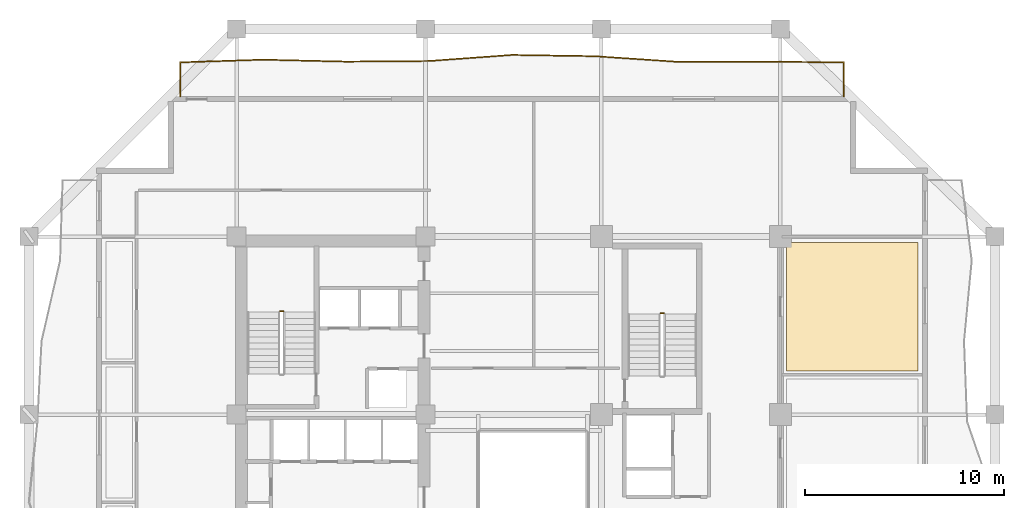
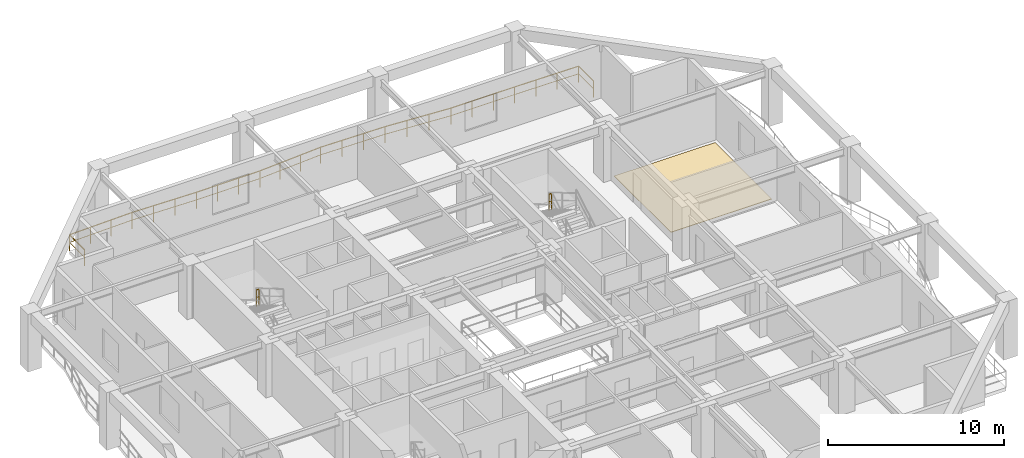
# One storey, part 10 of 11: 3 railings, 1 covering.
"""IFC4 building model written with IfcOpenShell, lengths in metres."""

from ifc_helpers import new_model, si_unit, direction, frame, origin, origin_2d, place, context, subcontext, project, spatial, polyline, rectangle, outline, extrude, material, layer, layer_set, type_object, element, save


model = new_model("IFC4")

# Units and contexts
model_context = context("Model", 3, precision=1e-05, world=origin(), true_north=direction((0.0, 1.0)))
body_context = subcontext(model_context, "Body", "Model", "MODEL_VIEW")
ifc_project = project(units=[si_unit("LENGTHUNIT", "METRE"), si_unit("AREAUNIT", "SQUARE_METRE"), si_unit("VOLUMEUNIT", "CUBIC_METRE"), si_unit("PLANEANGLEUNIT", "RADIAN"), si_unit("MASSUNIT", "GRAM", prefix="KILO")], contexts=[model_context])

# Site, building, storey
site_placement = place(None, origin())
site = spatial("IfcSite", under=ifc_project, at=site_placement, CompositionType="ELEMENT")
building_placement = place(site_placement, origin())
building = spatial("IfcBuilding", under=site, at=building_placement, Name="Kundavana Baori Tower", CompositionType="ELEMENT")
storey_placement = place(building_placement, frame((0.0, 0.0, 90.0)))
storey = spatial("IfcBuildingStorey", under=building, at=storey_placement, Name="L21", CompositionType="ELEMENT", Elevation=90.0)

# Covering
ifc_material_1 = material(Name="Honed Kota Stone and Terrazzo Flooring", Category="masonry")
ifc_layer = layer(ifc_material_1, 0.030029296875, Name="COV-INT-FLR")
ifc_layer_set = layer_set([ifc_layer], Name="Honed Kota Stone and Terrazzo Flooring")
covering_type = type_object("IfcCoveringType", Name="COV-INT-FLR", PredefinedType="FLOORING", material=ifc_layer_set)
covering_placement = place(storey_placement, origin())
element("IfcCovering", 1, at=covering_placement, inside=storey, type_object=covering_type, Name="L21 Room Finished Stone Flooring 11", PredefinedType="FLOORING", context=body_context, shape_type="SweptSolid", body=[
    extrude(outline(polyline([(43.10009765625, 35.199951171875), (49.719970703125, 35.199951171875), (49.719970703125, 41.64990234375), (43.10009765625, 41.64990234375), (43.10009765625, 35.199951171875)])), origin(), (0.0, 0.0, 1.0), 0.030029296875),
])

# Railings
ifc_material_2 = material(Name="Architectural Patinated Bronze Metalwork")
railing_type_1 = type_object("IfcRailingType", Name="RL-BAL-1150", PredefinedType="BALUSTRADE", material=ifc_material_2)
railing_1_placement = place(storey_placement, frame((12.60009765625, 49.0, 0.0)))
element("IfcRailing", 2, at=railing_1_placement, inside=storey, type_object=railing_type_1, Name="L21 Loggia Balcony Balustrade N", PredefinedType="BALUSTRADE", context=body_context, shape_type="SweptSolid", body=[
    extrude(rectangle(XDim=0.048095703125, YDim=0.048095703125, at=origin_2d()), frame((0.0, 0.0, 1.1259765625), z_axis=(0.0, 1.0, 0.0), x_axis=(-1.0, 0.0, 0.0)), (0.0, 0.0, 1.0), 1.719970703125),
    extrude(rectangle(XDim=0.03125, YDim=0.03125, at=origin_2d()), frame((0.0, 0.0, 0.597900390625), z_axis=(0.0, 1.0, 0.0), x_axis=(-1.0, 0.0, 0.0)), (0.0, 0.0, 1.0), 1.719970703125),
    extrude(rectangle(XDim=0.048095703125, YDim=0.048095703125, at=origin_2d()), frame((0.0, 1.719970703125, 1.1259765625), z_axis=(0.999469918375, 0.032555833014, 0.0), x_axis=(-0.032555833014, 0.999469918375, 0.0)), (0.0, 0.0, 1.0), 4.177001953125),
    extrude(rectangle(XDim=0.03125, YDim=0.03125, at=origin_2d()), frame((0.0, 1.719970703125, 0.597900390625), z_axis=(0.999469918375, 0.032555833014, 0.0), x_axis=(-0.032555833014, 0.999469918375, 0.0)), (0.0, 0.0, 1.0), 4.177001953125),
    extrude(rectangle(XDim=0.048095703125, YDim=0.048095703125, at=origin_2d()), frame((4.1748046875, 1.85595703125, 1.1259765625), z_axis=(0.999725187374, -0.023442477056, 0.0), x_axis=(0.023442477056, 0.999725187374, 0.0)), (0.0, 0.0, 1.0), 4.17626953125),
    extrude(rectangle(XDim=0.03125, YDim=0.03125, at=origin_2d()), frame((4.1748046875, 1.85595703125, 0.597900390625), z_axis=(0.999725187374, -0.023442477056, 0.0), x_axis=(0.023442477056, 0.999725187374, 0.0)), (0.0, 0.0, 1.0), 4.17626953125),
    extrude(rectangle(XDim=0.048095703125, YDim=0.048095703125, at=origin_2d()), frame((8.349853515625, 1.758056640625, 1.1259765625), z_axis=(0.99997242494, 0.007426261503, 0.0), x_axis=(-0.007426261503, 0.99997242494, 0.0)), (0.0, 0.0, 1.0), 4.175048828125),
    extrude(rectangle(XDim=0.03125, YDim=0.03125, at=origin_2d()), frame((8.349853515625, 1.758056640625, 0.597900390625), z_axis=(0.99997242494, 0.007426261503, 0.0), x_axis=(-0.007426261503, 0.99997242494, 0.0)), (0.0, 0.0, 1.0), 4.175048828125),
    extrude(rectangle(XDim=0.048095703125, YDim=0.048095703125, at=origin_2d()), frame((12.52490234375, 1.7890625, 1.1259765625), z_axis=(0.997326471838, 0.073074678043, 0.0), x_axis=(-0.073074678043, 0.997326471838, 0.0)), (0.0, 0.0, 1.0), 4.186279296875),
    extrude(rectangle(XDim=0.03125, YDim=0.03125, at=origin_2d()), frame((12.52490234375, 1.7890625, 0.597900390625), z_axis=(0.997326471838, 0.073074678043, 0.0), x_axis=(-0.073074678043, 0.997326471838, 0.0)), (0.0, 0.0, 1.0), 4.186279296875),
    extrude(rectangle(XDim=0.048095703125, YDim=0.048095703125, at=origin_2d()), frame((16.699951171875, 2.094970703125, 1.1259765625), z_axis=(0.999879048442, -0.015552764568, 0.0), x_axis=(0.015552764568, 0.999879048442, 0.0)), (0.0, 0.0, 1.0), 4.175537109375),
    extrude(rectangle(XDim=0.03125, YDim=0.03125, at=origin_2d()), frame((16.699951171875, 2.094970703125, 0.597900390625), z_axis=(0.999879048442, -0.015552764568, 0.0), x_axis=(0.015552764568, 0.999879048442, 0.0)), (0.0, 0.0, 1.0), 4.175537109375),
    extrude(rectangle(XDim=0.048095703125, YDim=0.048095703125, at=origin_2d()), frame((20.875, 2.030029296875, 1.1259765625), z_axis=(0.997710969964, -0.067622632409, 0.0), x_axis=(0.067622632409, 0.997710969964, 0.0)), (0.0, 0.0, 1.0), 4.184326171875),
    extrude(rectangle(XDim=0.03125, YDim=0.03125, at=origin_2d()), frame((20.875, 2.030029296875, 0.597900390625), z_axis=(0.997710969964, -0.067622632409, 0.0), x_axis=(0.067622632409, 0.997710969964, 0.0)), (0.0, 0.0, 1.0), 4.184326171875),
    extrude(rectangle(XDim=0.048095703125, YDim=0.048095703125, at=origin_2d()), frame((25.0498046875, 1.7470703125, 1.1259765625), z_axis=(0.999997659391, 0.002163611099, 0.0), x_axis=(-0.002163611099, 0.999997659391, 0.0)), (0.0, 0.0, 1.0), 4.175048828125),
    extrude(rectangle(XDim=0.03125, YDim=0.03125, at=origin_2d()), frame((25.0498046875, 1.7470703125, 0.597900390625), z_axis=(0.999997659391, 0.002163611099, 0.0), x_axis=(-0.002163611099, 0.999997659391, 0.0)), (0.0, 0.0, 1.0), 4.175048828125),
    extrude(rectangle(XDim=0.048095703125, YDim=0.048095703125, at=origin_2d()), frame((29.224853515625, 1.756103515625, 1.1259765625), z_axis=(0.999962552224, -0.008654140561, 0.0), x_axis=(0.008654140561, 0.999962552224, 0.0)), (0.0, 0.0, 1.0), 4.17529296875),
    extrude(rectangle(XDim=0.03125, YDim=0.03125, at=origin_2d()), frame((29.224853515625, 1.756103515625, 0.597900390625), z_axis=(0.999962552224, -0.008654140561, 0.0), x_axis=(0.008654140561, 0.999962552224, 0.0)), (0.0, 0.0, 1.0), 4.17529296875),
    extrude(rectangle(XDim=0.048095703125, YDim=0.048095703125, at=origin_2d()), frame((33.39990234375, 1.719970703125, 1.1259765625), z_axis=(0.0, -1.0, 0.0), x_axis=(1.0, 0.0, 0.0)), (0.0, 0.0, 1.0), 1.719970703125),
    extrude(rectangle(XDim=0.03125, YDim=0.03125, at=origin_2d()), frame((33.39990234375, 1.719970703125, 0.597900390625), z_axis=(0.0, -1.0, 0.0), x_axis=(1.0, 0.0, 0.0)), (0.0, 0.0, 1.0), 1.719970703125),
    extrude(rectangle(XDim=0.0419921875, YDim=0.0419921875, at=origin_2d()), origin(), (0.0, 0.0, 1.0), 1.101806640625),
    extrude(rectangle(XDim=0.0419921875, YDim=0.0419921875, at=origin_2d()), frame((0.0, 1.719970703125, 0.0)), (0.0, 0.0, 1.0), 1.101806640625),
    extrude(rectangle(XDim=0.0419921875, YDim=0.0419921875, at=origin_2d()), frame((1.3916015625, 1.765380859375, 0.0)), (0.0, 0.0, 1.0), 1.101806640625),
    extrude(rectangle(XDim=0.0419921875, YDim=0.0419921875, at=origin_2d()), frame((2.783203125, 1.810546875, 0.0)), (0.0, 0.0, 1.0), 1.101806640625),
    extrude(rectangle(XDim=0.0419921875, YDim=0.0419921875, at=origin_2d()), frame((4.1748046875, 1.85595703125, 0.0)), (0.0, 0.0, 1.0), 1.101806640625),
    extrude(rectangle(XDim=0.0419921875, YDim=0.0419921875, at=origin_2d()), frame((5.56640625, 1.8232421875, 0.0)), (0.0, 0.0, 1.0), 1.101806640625),
    extrude(rectangle(XDim=0.0419921875, YDim=0.0419921875, at=origin_2d()), frame((6.958251953125, 1.790771484375, 0.0)), (0.0, 0.0, 1.0), 1.101806640625),
    extrude(rectangle(XDim=0.0419921875, YDim=0.0419921875, at=origin_2d()), frame((8.349853515625, 1.758056640625, 0.0)), (0.0, 0.0, 1.0), 1.101806640625),
    extrude(rectangle(XDim=0.0419921875, YDim=0.0419921875, at=origin_2d()), frame((9.741455078125, 1.768310546875, 0.0)), (0.0, 0.0, 1.0), 1.101806640625),
    extrude(rectangle(XDim=0.0419921875, YDim=0.0419921875, at=origin_2d()), frame((11.13330078125, 1.77880859375, 0.0)), (0.0, 0.0, 1.0), 1.101806640625),
    extrude(rectangle(XDim=0.0419921875, YDim=0.0419921875, at=origin_2d()), frame((12.52490234375, 1.7890625, 0.0)), (0.0, 0.0, 1.0), 1.101806640625),
    extrude(rectangle(XDim=0.0419921875, YDim=0.0419921875, at=origin_2d()), frame((13.91650390625, 1.89111328125, 0.0)), (0.0, 0.0, 1.0), 1.101806640625),
    extrude(rectangle(XDim=0.0419921875, YDim=0.0419921875, at=origin_2d()), frame((15.308349609375, 1.992919921875, 0.0)), (0.0, 0.0, 1.0), 1.101806640625),
    extrude(rectangle(XDim=0.0419921875, YDim=0.0419921875, at=origin_2d()), frame((16.699951171875, 2.094970703125, 0.0)), (0.0, 0.0, 1.0), 1.101806640625),
    extrude(rectangle(XDim=0.0419921875, YDim=0.0419921875, at=origin_2d()), frame((18.091552734375, 2.0732421875, 0.0)), (0.0, 0.0, 1.0), 1.101806640625),
    extrude(rectangle(XDim=0.0419921875, YDim=0.0419921875, at=origin_2d()), frame((19.4833984375, 2.0517578125, 0.0)), (0.0, 0.0, 1.0), 1.101806640625),
    extrude(rectangle(XDim=0.0419921875, YDim=0.0419921875, at=origin_2d()), frame((20.875, 2.030029296875, 0.0)), (0.0, 0.0, 1.0), 1.101806640625),
    extrude(rectangle(XDim=0.0419921875, YDim=0.0419921875, at=origin_2d()), frame((22.2666015625, 1.935791015625, 0.0)), (0.0, 0.0, 1.0), 1.101806640625),
    extrude(rectangle(XDim=0.0419921875, YDim=0.0419921875, at=origin_2d()), frame((23.658203125, 1.84130859375, 0.0)), (0.0, 0.0, 1.0), 1.101806640625),
    extrude(rectangle(XDim=0.0419921875, YDim=0.0419921875, at=origin_2d()), frame((25.0498046875, 1.7470703125, 0.0)), (0.0, 0.0, 1.0), 1.101806640625),
    extrude(rectangle(XDim=0.0419921875, YDim=0.0419921875, at=origin_2d()), frame((26.44140625, 1.75, 0.0)), (0.0, 0.0, 1.0), 1.101806640625),
    extrude(rectangle(XDim=0.0419921875, YDim=0.0419921875, at=origin_2d()), frame((27.833251953125, 1.753173828125, 0.0)), (0.0, 0.0, 1.0), 1.101806640625),
    extrude(rectangle(XDim=0.0419921875, YDim=0.0419921875, at=origin_2d()), frame((29.224853515625, 1.756103515625, 0.0)), (0.0, 0.0, 1.0), 1.101806640625),
    extrude(rectangle(XDim=0.0419921875, YDim=0.0419921875, at=origin_2d()), frame((30.616455078125, 1.744140625, 0.0)), (0.0, 0.0, 1.0), 1.101806640625),
    extrude(rectangle(XDim=0.0419921875, YDim=0.0419921875, at=origin_2d()), frame((32.00830078125, 1.73193359375, 0.0)), (0.0, 0.0, 1.0), 1.101806640625),
    extrude(rectangle(XDim=0.0419921875, YDim=0.0419921875, at=origin_2d()), frame((33.39990234375, 1.719970703125, 0.0)), (0.0, 0.0, 1.0), 1.101806640625),
    extrude(rectangle(XDim=0.0419921875, YDim=0.0419921875, at=origin_2d()), frame((33.39990234375, 0.0, 0.0)), (0.0, 0.0, 1.0), 1.101806640625),
])
ifc_material_3 = material(Name="Architectural Patinated Bronze Metalwork")
railing_type_2 = type_object("IfcRailingType", Name="RL-GRD-1150", PredefinedType="GUARDRAIL", material=ifc_material_3)
railing_2_placement = place(storey_placement, frame((17.7900390625, 38.199951171875, 2.0)))
element("IfcRailing", 3, at=railing_2_placement, inside=storey, type_object=railing_type_2, Name="L21 ST2 stair guard 2", PredefinedType="GUARDRAIL", context=body_context, shape_type="SweptSolid", body=[
    extrude(rectangle(XDim=0.048095703125, YDim=0.048095703125, at=origin_2d()), frame((0.0, 0.0, 1.1259765625), z_axis=(-1.0, 0.0, 0.0), x_axis=(0.0, -1.0, 0.0)), (0.0, 0.0, 1.0), 0.16015625),
    extrude(rectangle(XDim=0.03125, YDim=0.03125, at=origin_2d()), frame((0.0, 0.0, 0.597900390625), z_axis=(-1.0, 0.0, 0.0), x_axis=(0.0, -1.0, 0.0)), (0.0, 0.0, 1.0), 0.16015625),
    extrude(rectangle(XDim=0.0419921875, YDim=0.0419921875, at=origin_2d()), origin(), (0.0, 0.0, 1.0), 1.101806640625),
    extrude(rectangle(XDim=0.0419921875, YDim=0.0419921875, at=origin_2d()), frame((-0.16015625, 0.0, 0.0)), (0.0, 0.0, 1.0), 1.101806640625),
])
railing_3_placement = place(storey_placement, frame((36.929931640625, 38.10009765625, 2.0)))
element("IfcRailing", 4, at=railing_3_placement, inside=storey, type_object=railing_type_2, Name="L21 ST3 stair guard 2", PredefinedType="GUARDRAIL", context=body_context, shape_type="SweptSolid", body=[
    extrude(rectangle(XDim=0.048095703125, YDim=0.048095703125, at=origin_2d()), frame((0.0, 0.0, 1.1259765625), z_axis=(-1.0, 0.0, 0.0), x_axis=(0.0, -1.0, 0.0)), (0.0, 0.0, 1.0), 0.159912109375),
    extrude(rectangle(XDim=0.03125, YDim=0.03125, at=origin_2d()), frame((0.0, 0.0, 0.597900390625), z_axis=(-1.0, 0.0, 0.0), x_axis=(0.0, -1.0, 0.0)), (0.0, 0.0, 1.0), 0.159912109375),
    extrude(rectangle(XDim=0.0419921875, YDim=0.0419921875, at=origin_2d()), origin(), (0.0, 0.0, 1.0), 1.101806640625),
    extrude(rectangle(XDim=0.0419921875, YDim=0.0419921875, at=origin_2d()), frame((-0.159912109375, 0.0, 0.0)), (0.0, 0.0, 1.0), 1.101806640625),
])

save(model, "model.ifc")
